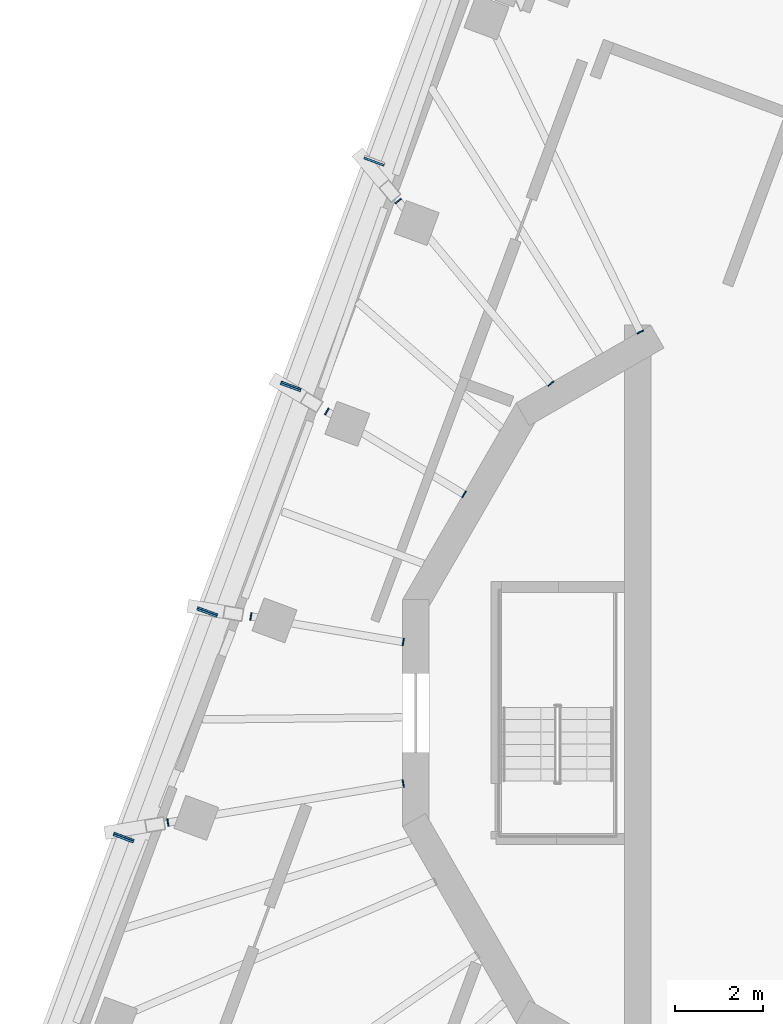
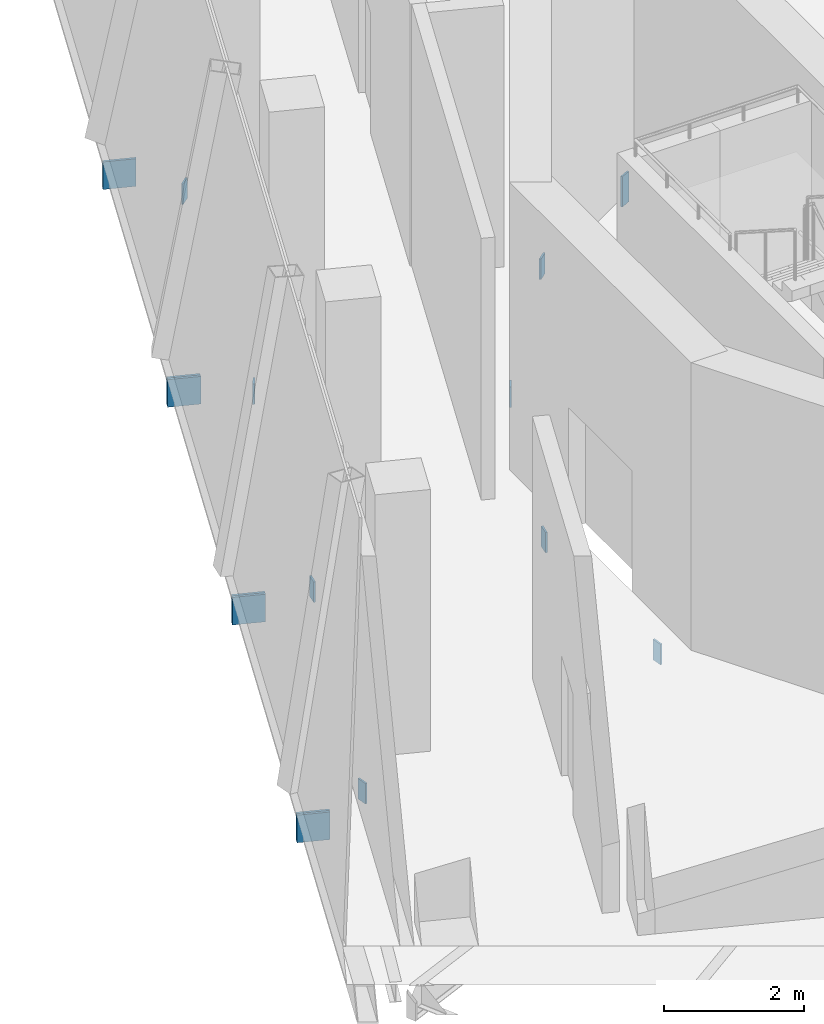
# One storey, part 9 of 13: 16 discrete accessories, 5 elements without a shape of their own.
"""IFC4 building model written with IfcOpenShell, lengths in metres."""

from ifc_helpers import new_model, si_unit, direction, frame, origin, place, context, subcontext, project, spatial, polyline, outline, extrude, material, layer, layer_set, type_object, element, aggregate, save


model = new_model("IFC4")

# Units and contexts
model_context = context("Model", 3, precision=1e-05, world=origin(), true_north=direction((0.0, 1.0)))
body_context = subcontext(model_context, "Body", "Model", "MODEL_VIEW")
ifc_project = project(units=[si_unit("LENGTHUNIT", "METRE"), si_unit("AREAUNIT", "SQUARE_METRE"), si_unit("VOLUMEUNIT", "CUBIC_METRE"), si_unit("PLANEANGLEUNIT", "RADIAN"), si_unit("MASSUNIT", "GRAM", prefix="KILO")], contexts=[model_context])

# Site, building, storey
site_placement = place(None, origin())
site = spatial("IfcSite", under=ifc_project, at=site_placement, CompositionType="ELEMENT")
building_placement = place(site_placement, origin())
building = spatial("IfcBuilding", under=site, at=building_placement, Name="Cantera Rosa Tower", CompositionType="ELEMENT")
storey_placement = place(building_placement, frame((0.0, 0.0, 350.699951171875)))
storey = spatial("IfcBuildingStorey", under=building, at=storey_placement, Name="L79", CompositionType="ELEMENT", Elevation=350.699951171875)

# Curtain wall, discrete accessory
ifc_material_1 = material(Name="Aluminium frame with clear glass", Category="aluminium")
curtain_wall_type = type_object("IfcCurtainWallType", Name="CW4 CROWN GLAZING", PredefinedType="NOTDEFINED", material=ifc_material_1)
curtain_wall_1_placement = place(storey_placement, origin())
curtain_wall_1 = element("IfcCurtainWall", 1, at=curtain_wall_1_placement, inside=storey, type_object=curtain_wall_type, Name="CW4 L79-10", PredefinedType="NOTDEFINED")
ifc_material_2 = material(Name="Steel S355J2 (EN 10025-2)", Category="steel")
ifc_layer = layer(ifc_material_2, 0.030029296875)
ifc_layer_set = layer_set([ifc_layer], Name="NODE PLATE 30")
discrete_accessory_type = type_object("IfcDiscreteAccessoryType", Name="NODE PLATE 30", PredefinedType="ANCHORPLATE", material=ifc_layer_set)
discrete_accessory_1_placement = place(storey_placement, frame((-10.091064453125, 12.47021484375, -0.43505859375), z_axis=(-0.347777987911, -0.937576914778, 0.0), x_axis=(-0.937576914778, 0.347777987911, 0.0)))
discrete_accessory_1 = element("IfcDiscreteAccessory", 2, at=discrete_accessory_1_placement, type_object=discrete_accessory_type, Name="END PLATE TE1", PredefinedType="ANCHORPLATE", context=body_context, shape_type="SweptSolid", body=[
    extrude(outline(polyline([(0.0, 0.0), (0.4801689391068604, 0.0), (0.4801689391068604, 0.47998046875), (0.0, 0.47998046875), (0.0, 0.0)])), origin(), (0.0, 0.0, -1.0), 0.0400390625),
])
aggregate(curtain_wall_1, [discrete_accessory_1])

curtain_wall_2_placement = place(storey_placement, origin())
curtain_wall_2 = element("IfcCurtainWall", 3, at=curtain_wall_2_placement, inside=storey, type_object=curtain_wall_type, Name="CW4 L79-11", PredefinedType="NOTDEFINED")
discrete_accessory_2_placement = place(storey_placement, frame((-11.996826171875, 7.32763671875, -0.43505859375), z_axis=(-0.347330918501, -0.937742626232, 0.0), x_axis=(-0.937742626232, 0.347330918501, 0.0)))
discrete_accessory_2 = element("IfcDiscreteAccessory", 4, at=discrete_accessory_2_placement, type_object=discrete_accessory_type, Name="END PLATE TE1", PredefinedType="ANCHORPLATE", context=body_context, shape_type="SweptSolid", body=[
    extrude(outline(polyline([(0.0, 0.0), (0.4800840869406107, 0.0), (0.4800840869406107, 0.47998046875), (0.0, 0.47998046875), (0.0, 0.0)])), origin(), (0.0, 0.0, -1.0), 0.0400390625),
])
aggregate(curtain_wall_2, [discrete_accessory_2])

# Curtain wall, discrete accessories
curtain_wall_3_placement = place(storey_placement, origin())
curtain_wall_3 = element("IfcCurtainWall", 5, at=curtain_wall_3_placement, inside=storey, type_object=curtain_wall_type, Name="CW4 L79-12", PredefinedType="NOTDEFINED")
discrete_accessory_3_placement = place(storey_placement, frame((-12.419189453125, 7.5693359375, -0.43505859375), z_axis=(0.347330918501, 0.937742626232, 0.0), x_axis=(0.937742626232, -0.347330918501, 0.0)))
discrete_accessory_3 = element("IfcDiscreteAccessory", 6, at=discrete_accessory_3_placement, type_object=discrete_accessory_type, Name="END PLATE TE0", PredefinedType="ANCHORPLATE", context=body_context, shape_type="SweptSolid", body=[
    extrude(outline(polyline([(0.0, 0.0), (0.4800840869406107, 0.0), (0.4800840869406107, 0.47998046875), (0.0, 0.47998046875), (0.0, 0.0)])), origin(), (0.0, 0.0, -1.0), 0.0400390625),
])
discrete_accessory_4_placement = place(storey_placement, frame((-13.902587890625, 2.184814453125, -0.43505859375), z_axis=(-0.347330918501, -0.937742626232, 0.0), x_axis=(-0.937742626232, 0.347330918501, 0.0)))
discrete_accessory_4 = element("IfcDiscreteAccessory", 7, at=discrete_accessory_4_placement, type_object=discrete_accessory_type, Name="END PLATE TE1", PredefinedType="ANCHORPLATE", context=body_context, shape_type="SweptSolid", body=[
    extrude(outline(polyline([(0.0, 0.0), (0.4800840869406107, 0.0), (0.4800840869406107, 0.47998046875), (0.0, 0.47998046875), (0.0, 0.0)])), origin(), (0.0, 0.0, -1.0), 0.0400390625),
])
aggregate(curtain_wall_3, [discrete_accessory_3, discrete_accessory_4])

curtain_wall_4_placement = place(storey_placement, origin())
curtain_wall_4 = element("IfcCurtainWall", 8, at=curtain_wall_4_placement, inside=storey, type_object=curtain_wall_type, Name="CW4 L79-13", PredefinedType="NOTDEFINED")
discrete_accessory_5_placement = place(storey_placement, frame((-14.324951171875, 2.426513671875, -0.43505859375), z_axis=(0.347330918501, 0.937742626232, 0.0), x_axis=(0.937742626232, -0.347330918501, 0.0)))
discrete_accessory_5 = element("IfcDiscreteAccessory", 9, at=discrete_accessory_5_placement, type_object=discrete_accessory_type, Name="END PLATE TE0", PredefinedType="ANCHORPLATE", context=body_context, shape_type="SweptSolid", body=[
    extrude(outline(polyline([(0.0, 0.0), (0.4800840869406107, 0.0), (0.4800840869406107, 0.47998046875), (0.0, 0.47998046875), (0.0, 0.0)])), origin(), (0.0, 0.0, -1.0), 0.0400390625),
])
discrete_accessory_6_placement = place(storey_placement, frame((-15.808349609375, -2.9580078125, -0.43505859375), z_axis=(-0.347330918501, -0.937742626232, 0.0), x_axis=(-0.937742626232, 0.347330918501, 0.0)))
discrete_accessory_6 = element("IfcDiscreteAccessory", 10, at=discrete_accessory_6_placement, type_object=discrete_accessory_type, Name="END PLATE TE1", PredefinedType="ANCHORPLATE", context=body_context, shape_type="SweptSolid", body=[
    extrude(outline(polyline([(0.0, 0.0), (0.4800840869406107, 0.0), (0.4800840869406107, 0.47998046875), (0.0, 0.47998046875), (0.0, 0.0)])), origin(), (0.0, 0.0, -1.0), 0.0400390625),
])
aggregate(curtain_wall_4, [discrete_accessory_5, discrete_accessory_6])

# Curtain wall, discrete accessory
curtain_wall_5_placement = place(storey_placement, origin())
curtain_wall_5 = element("IfcCurtainWall", 11, at=curtain_wall_5_placement, inside=storey, type_object=curtain_wall_type, Name="CW4 L79-14", PredefinedType="NOTDEFINED")
discrete_accessory_7_placement = place(storey_placement, frame((-16.230712890625, -2.716064453125, -0.43505859375), z_axis=(0.347330918501, 0.937742626232, 0.0), x_axis=(0.937742626232, -0.347330918501, 0.0)))
discrete_accessory_7 = element("IfcDiscreteAccessory", 12, at=discrete_accessory_7_placement, type_object=discrete_accessory_type, Name="END PLATE TE0", PredefinedType="ANCHORPLATE", context=body_context, shape_type="SweptSolid", body=[
    extrude(outline(polyline([(0.0, 0.0), (0.4800840869406107, 0.0), (0.4800840869406107, 0.47998046875), (0.0, 0.47998046875), (0.0, 0.0)])), origin(), (0.0, 0.0, -1.0), 0.0400390625),
])
aggregate(curtain_wall_5, [discrete_accessory_7])

# Discrete accessories
discrete_accessory_8_placement = place(storey_placement, frame((0.0, 0.0, -0.97802734375)))
element("IfcDiscreteAccessory", 13, at=discrete_accessory_8_placement, inside=storey, type_object=discrete_accessory_type, Name="END PLATE CG-Z6-03 L79 B", PredefinedType="ANCHORPLATE", context=body_context, shape_type="SweptSolid", body=[
    extrude(outline(polyline([(-4.1748046875, 8.736572265625), (-4.16162109375, 8.709716796875), (-4.310791015625, 8.63671875), (-4.323974609375, 8.663818359375), (-4.1748046875, 8.736572265625)])), origin(), (0.0, 0.0, 1.0), 0.528076171875),
])
discrete_accessory_9_placement = place(storey_placement, frame((0.0, 0.0, -0.805908203125)))
element("IfcDiscreteAccessory", 14, at=discrete_accessory_9_placement, inside=storey, type_object=discrete_accessory_type, Name="END PLATE CG-Z6-04 L79 A", PredefinedType="ANCHORPLATE", context=body_context, shape_type="SweptSolid", body=[
    extrude(outline(polyline([(-9.8154296875, 11.608154296875), (-9.834716796875, 11.631103515625), (-9.70361328125, 11.74072265625), (-9.684326171875, 11.7177734375), (-9.8154296875, 11.608154296875)])), origin(), (0.0, 0.0, 1.0), 0.35595703125),
])
discrete_accessory_10_placement = place(storey_placement, frame((0.0, 0.0, -0.805908203125)))
element("IfcDiscreteAccessory", 15, at=discrete_accessory_10_placement, inside=storey, type_object=discrete_accessory_type, Name="END PLATE CG-Z6-04 L79 B", PredefinedType="ANCHORPLATE", context=body_context, shape_type="SweptSolid", body=[
    extrude(outline(polyline([(-6.22314453125, 7.57763671875), (-6.203857421875, 7.554443359375), (-6.335205078125, 7.44482421875), (-6.354248046875, 7.4677734375), (-6.22314453125, 7.57763671875)])), origin(), (0.0, 0.0, 1.0), 0.35595703125),
])
discrete_accessory_11_placement = place(storey_placement, frame((0.0, 0.0, -0.805908203125)))
element("IfcDiscreteAccessory", 16, at=discrete_accessory_11_placement, inside=storey, type_object=discrete_accessory_type, Name="END PLATE CG-Z6-05 L79 A", PredefinedType="ANCHORPLATE", context=body_context, shape_type="SweptSolid", body=[
    extrude(outline(polyline([(-11.418212890625, 6.7958984375), (-11.44384765625, 6.8115234375), (-11.35546875, 6.957763671875), (-11.329833984375, 6.9423828125), (-11.418212890625, 6.7958984375)])), origin(), (0.0, 0.0, 1.0), 0.35595703125),
])
discrete_accessory_12_placement = place(storey_placement, frame((0.0, 0.0, -0.805908203125)))
element("IfcDiscreteAccessory", 17, at=discrete_accessory_12_placement, inside=storey, type_object=discrete_accessory_type, Name="END PLATE CG-Z6-05 L79 B", PredefinedType="ANCHORPLATE", context=body_context, shape_type="SweptSolid", body=[
    extrude(outline(polyline([(-8.225830078125, 5.067626953125), (-8.2001953125, 5.05224609375), (-8.28857421875, 4.90576171875), (-8.314208984375, 4.92138671875), (-8.225830078125, 5.067626953125)])), origin(), (0.0, 0.0, 1.0), 0.35595703125),
])
discrete_accessory_13_placement = place(storey_placement, frame((0.0, 0.0, -0.805908203125)))
element("IfcDiscreteAccessory", 18, at=discrete_accessory_13_placement, inside=storey, type_object=discrete_accessory_type, Name="END PLATE CG-Z6-06 L79 A", PredefinedType="ANCHORPLATE", context=body_context, shape_type="SweptSolid", body=[
    extrude(outline(polyline([(-13.117919921875, 2.1171875), (-13.1474609375, 2.122314453125), (-13.119140625, 2.290771484375), (-13.08935546875, 2.285888671875), (-13.117919921875, 2.1171875)])), origin(), (0.0, 0.0, 1.0), 0.35595703125),
])
discrete_accessory_14_placement = place(storey_placement, frame((0.0, 0.0, -0.805908203125)))
element("IfcDiscreteAccessory", 19, at=discrete_accessory_14_placement, inside=storey, type_object=discrete_accessory_type, Name="END PLATE CG-Z6-06 L79 B", PredefinedType="ANCHORPLATE", context=body_context, shape_type="SweptSolid", body=[
    extrude(outline(polyline([(-9.64501953125, 1.707275390625), (-9.615478515625, 1.7021484375), (-9.643798828125, 1.53369140625), (-9.67333984375, 1.53857421875), (-9.64501953125, 1.707275390625)])), origin(), (0.0, 0.0, 1.0), 0.35595703125),
])
discrete_accessory_15_placement = place(storey_placement, frame((0.0, 0.0, -0.805908203125)))
element("IfcDiscreteAccessory", 20, at=discrete_accessory_15_placement, inside=storey, type_object=discrete_accessory_type, Name="END PLATE CG-Z6-07 L79 A", PredefinedType="ANCHORPLATE", context=body_context, shape_type="SweptSolid", body=[
    extrude(outline(polyline([(-14.981689453125, -2.577392578125), (-15.01123046875, -2.582275390625), (-15.039306640625, -2.41357421875), (-15.009765625, -2.40869140625), (-14.981689453125, -2.577392578125)])), origin(), (0.0, 0.0, 1.0), 0.35595703125),
])
discrete_accessory_16_placement = place(storey_placement, frame((0.0, 0.0, -0.805908203125)))
element("IfcDiscreteAccessory", 21, at=discrete_accessory_16_placement, inside=storey, type_object=discrete_accessory_type, Name="END PLATE CG-Z6-07 L79 B", PredefinedType="ANCHORPLATE", context=body_context, shape_type="SweptSolid", body=[
    extrude(outline(polyline([(-9.67333984375, -1.521484375), (-9.643798828125, -1.5166015625), (-9.61572265625, -1.685302734375), (-9.645263671875, -1.690185546875), (-9.67333984375, -1.521484375)])), origin(), (0.0, 0.0, 1.0), 0.35595703125),
])

save(model, "model.ifc")
